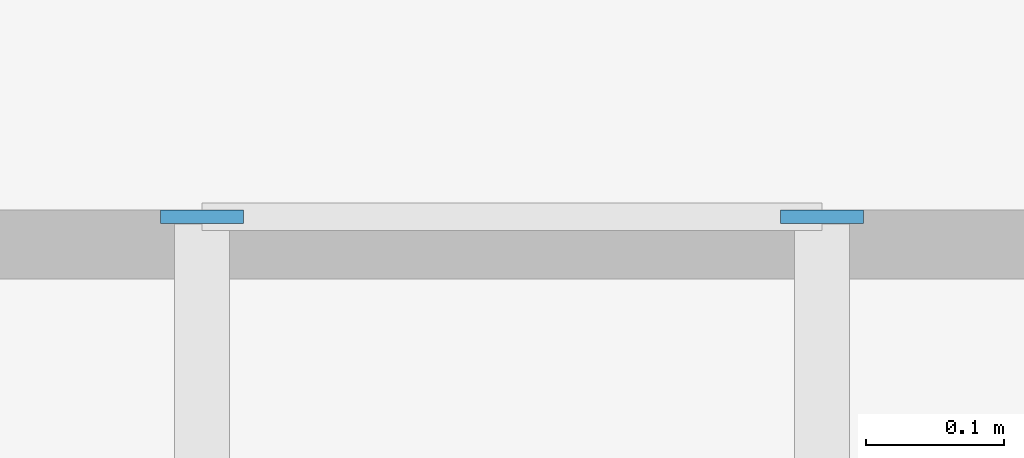
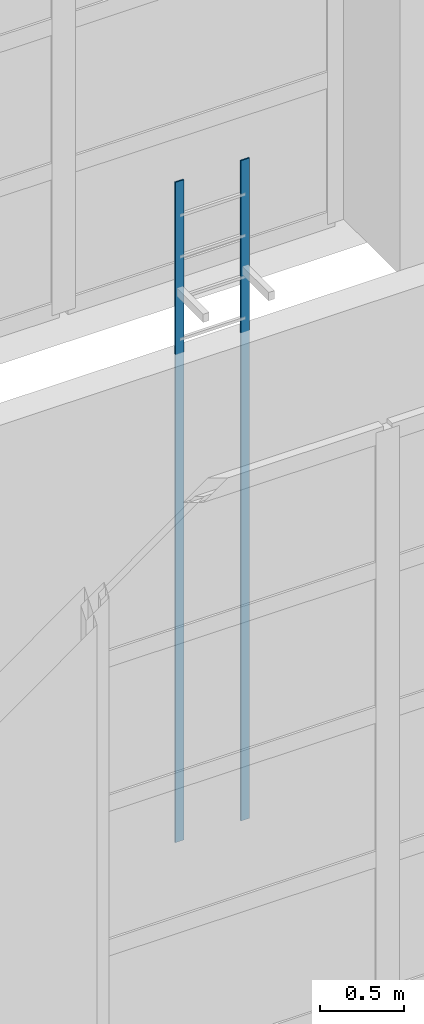
# One storey, part 44 of 85: 2 discrete accessories.
"""IFC4 building model written with IfcOpenShell, lengths in metres."""

from ifc_helpers import new_model, si_unit, direction, frame, origin, origin_2d, place, context, subcontext, project, spatial, rectangle, extrude, material, type_object, element, save


model = new_model("IFC4")

# Units and contexts
model_context = context("Model", 3, precision=1e-05, world=origin(), true_north=direction((0.0, 1.0)))
body_context = subcontext(model_context, "Body", "Model", "MODEL_VIEW")
ifc_project = project(units=[si_unit("LENGTHUNIT", "METRE"), si_unit("AREAUNIT", "SQUARE_METRE"), si_unit("VOLUMEUNIT", "CUBIC_METRE"), si_unit("PLANEANGLEUNIT", "RADIAN"), si_unit("MASSUNIT", "GRAM", prefix="KILO")], contexts=[model_context])

# Site, building, storey
site_placement = place(None, origin())
site = spatial("IfcSite", under=ifc_project, at=site_placement, CompositionType="ELEMENT")
building_placement = place(site_placement, origin())
building = spatial("IfcBuilding", under=site, at=building_placement, Name="Rain Tree Exposition and Congress Centre", CompositionType="ELEMENT")
storey_placement = place(building_placement, frame((0.0, 0.0, 15.0)))
storey = spatial("IfcBuildingStorey", under=building, at=storey_placement, Name="L03", CompositionType="ELEMENT", Elevation=15.0)

# Discrete accessories
ifc_material = material(Name="Steel S355J2", Category="steel")
discrete_accessory_type = type_object("IfcDiscreteAccessoryType", Name="Ladder stile 60x10", PredefinedType="USERDEFINED", material=ifc_material)
for number, where, z_axis, x_axis, name in (
    (1, (29.175048828125, 45.6201171875, 0.0), (0.0, 0.0, 1.0), (1.0, 0.0, 0.0), "wing/ladder/stile/w"),
    (2, (29.625, 45.6201171875, 0.0), (0.0, 0.0, 1.0), (1.0, 0.0, 0.0), "wing/ladder/stile/e"),
):
    element("IfcDiscreteAccessory", number, at=place(storey_placement, frame(where, z_axis=z_axis, x_axis=x_axis)), inside=storey, type_object=discrete_accessory_type, Name=name, ObjectType="Ladder stile", PredefinedType="USERDEFINED", context=body_context, shape_type="SweptSolid", body=[
        extrude(rectangle(XDim=0.06005859375, YDim=0.010009765625, at=origin_2d()), origin(), (0.0, 0.0, 1.0), 4.800048828125),
    ])

save(model, "model.ifc")
